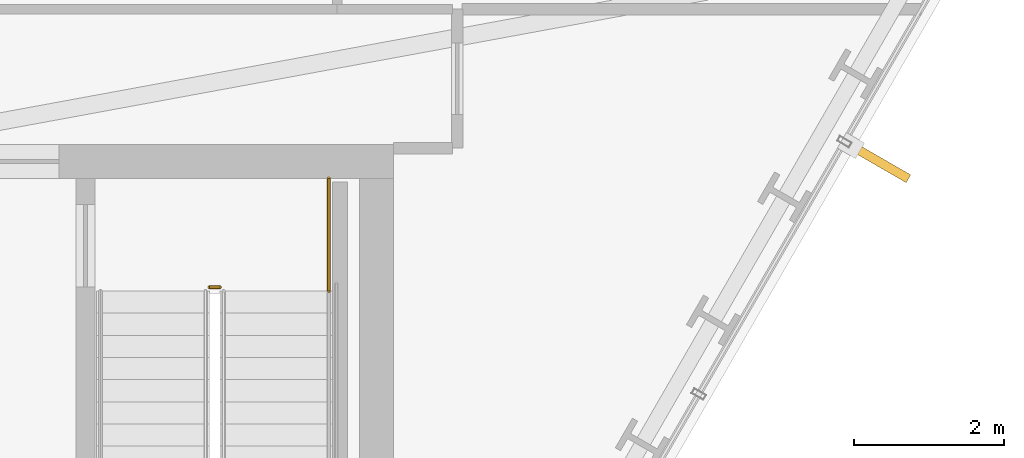
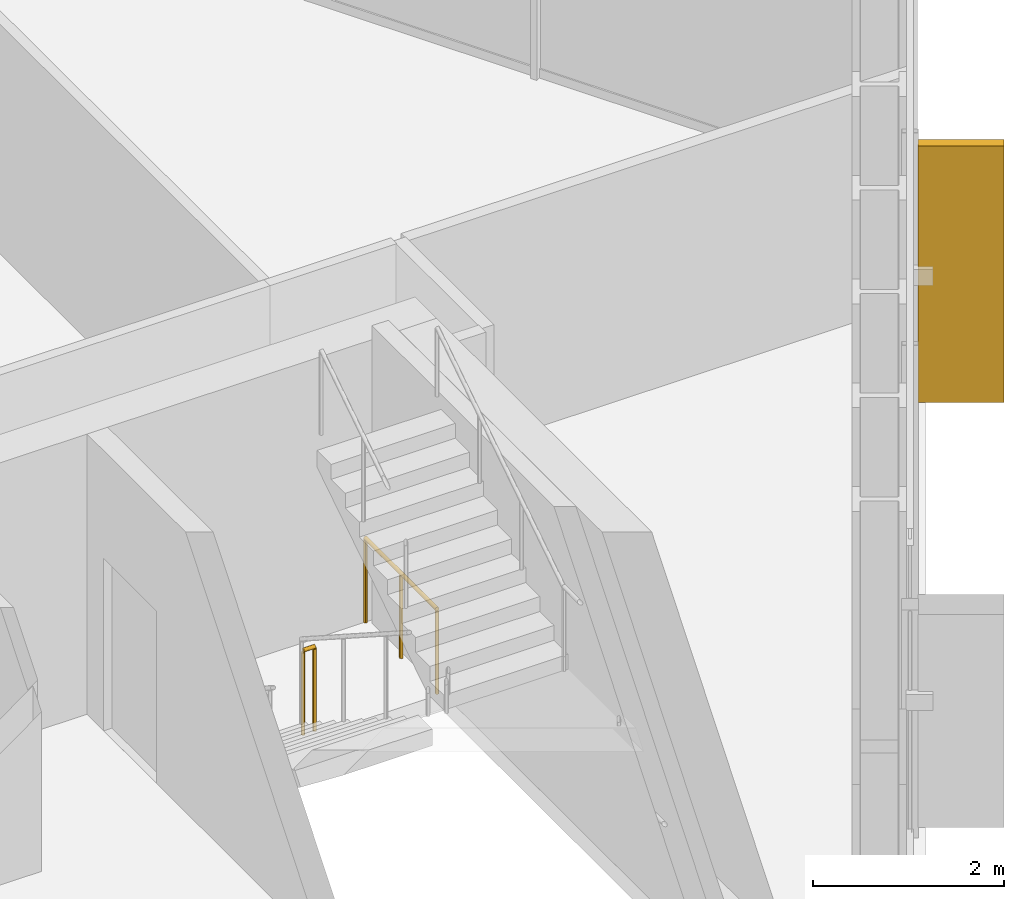
# One storey, part 31 of 32: 2 railings, 1 shading device.
"""IFC4 building model written with IfcOpenShell, lengths in metres."""

from ifc_helpers import new_model, si_unit, direction, frame, origin, origin_2d, place, context, subcontext, project, spatial, rectangle, circle, extrude, material, layer, layer_set, type_object, element, save


model = new_model("IFC4")

# Units and contexts
model_context = context("Model", 3, precision=1e-05, world=origin(), true_north=direction((0.0, 1.0)))
body_context = subcontext(model_context, "Body", "Model", "MODEL_VIEW")
ifc_project = project(units=[si_unit("LENGTHUNIT", "METRE"), si_unit("AREAUNIT", "SQUARE_METRE"), si_unit("VOLUMEUNIT", "CUBIC_METRE"), si_unit("PLANEANGLEUNIT", "RADIAN"), si_unit("MASSUNIT", "GRAM", prefix="KILO")], contexts=[model_context])

# Site, building, storey
site_placement = place(None, origin())
site = spatial("IfcSite", under=ifc_project, at=site_placement, CompositionType="ELEMENT")
building_placement = place(site_placement, origin())
building = spatial("IfcBuilding", under=site, at=building_placement, Name="Ndaravel Arena Tower", CompositionType="ELEMENT")
storey_placement = place(building_placement, frame((0.0, 0.0, 62.60009765625)))
storey = spatial("IfcBuildingStorey", under=building, at=storey_placement, Name="L13", CompositionType="ELEMENT", Elevation=62.60009765625)

# Railings
ifc_material_1 = material(Name="Steel S355", Category="steel")
ifc_layer = layer(ifc_material_1, 0.06005859375)
ifc_layer_set = layer_set([ifc_layer], Name="Steel S355")
railing_type = type_object("IfcRailingType", Name="RAIL-STAIR-GD1100", PredefinedType="GUARDRAIL", material=ifc_layer_set)
railing_1_placement = place(storey_placement, frame((55.10009765625, 13.300048828125, 0.0)))
element("IfcRailing", 1, at=railing_1_placement, inside=storey, type_object=railing_type, Name="L13 ST-3 stair guard 4", PredefinedType="GUARDRAIL", context=body_context, shape_type="SweptSolid", body=[
    extrude(circle(Radius=0.02392578125, at=origin_2d()), frame((0.0, 0.0, 1.076171875), z_axis=(1.0, 0.0, 0.0), x_axis=(0.0, 1.0, 0.0)), (0.0, 0.0, 1.0), 0.139892578125),
    extrude(circle(Radius=0.02099609375, at=origin_2d()), origin(), (0.0, 0.0, 1.0), 1.052001953125),
    extrude(circle(Radius=0.02099609375, at=origin_2d()), frame((0.139892578125, 0.0, 0.0)), (0.0, 0.0, 1.0), 1.052001953125),
])
railing_2_placement = place(storey_placement, frame((56.68994140625, 14.75, 0.0)))
element("IfcRailing", 2, at=railing_2_placement, inside=storey, type_object=railing_type, Name="L13 ST-3 stair guard 5", PredefinedType="GUARDRAIL", context=body_context, shape_type="SweptSolid", body=[
    extrude(circle(Radius=0.02392578125, at=origin_2d()), frame((0.0, 0.0, 1.076171875), z_axis=(0.0, -1.0, 0.0), x_axis=(1.0, 0.0, 0.0)), (0.0, 0.0, 1.0), 1.5),
    extrude(circle(Radius=0.02099609375, at=origin_2d()), origin(), (0.0, 0.0, 1.0), 1.052001953125),
    extrude(circle(Radius=0.02099609375, at=origin_2d()), frame((0.0, -0.75, 0.0)), (0.0, 0.0, 1.0), 1.052001953125),
    extrude(circle(Radius=0.02099609375, at=origin_2d()), frame((0.0, -1.5, 0.0)), (0.0, 0.0, 1.0), 1.052001953125),
])

# Shading device
ifc_material_2 = material(Name="Masonry", Category="masonry")
shading_device_type = type_object("IfcShadingDeviceType", Name="SHD-MAZERAS-FIN", PredefinedType="SHUTTER", material=ifc_material_2)
shading_device_placement = place(storey_placement, frame((64.014404296875, 14.968505859375, 0.14990234375), z_axis=(0.0, 0.0, 1.0), x_axis=(0.866025403784, -0.5, 0.0)))
element("IfcShadingDevice", 3, at=shading_device_placement, inside=storey, type_object=shading_device_type, Name="L13 Mazeras Stone Solar Fin E2.2", PredefinedType="SHUTTER", context=body_context, shape_type="SweptSolid", body=[
    extrude(rectangle(XDim=0.89990234375, YDim=0.1201171875, at=origin_2d()), origin(), (0.0, 0.0, 1.0), 3.280029296875),
])

save(model, "model.ifc")
